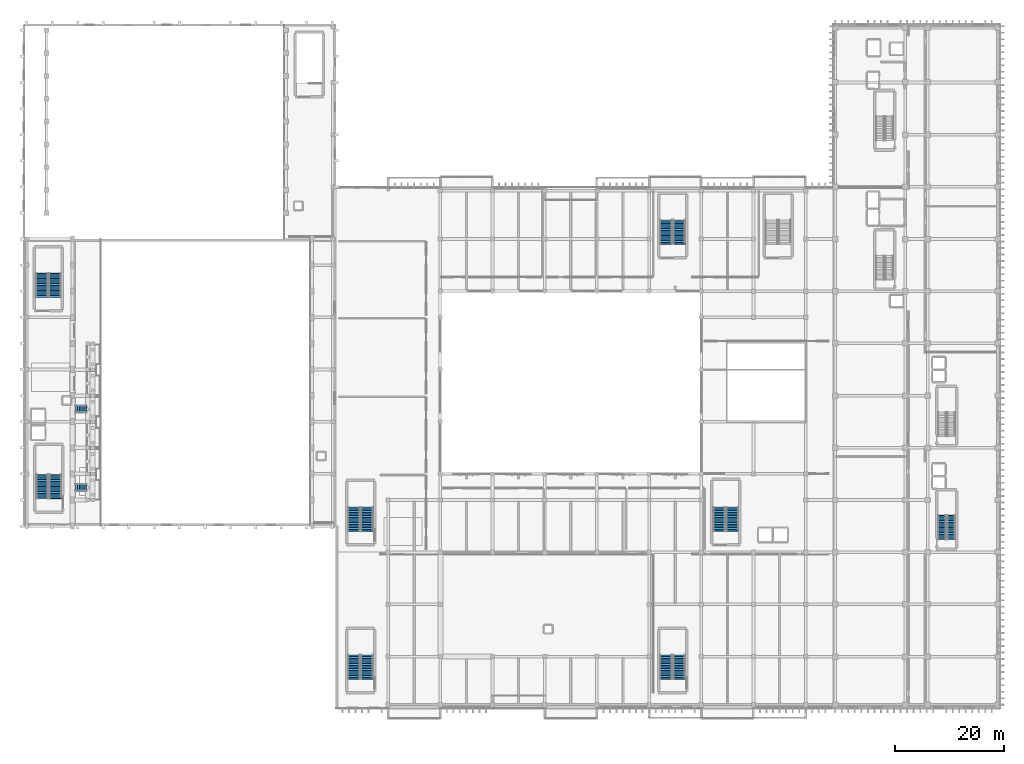
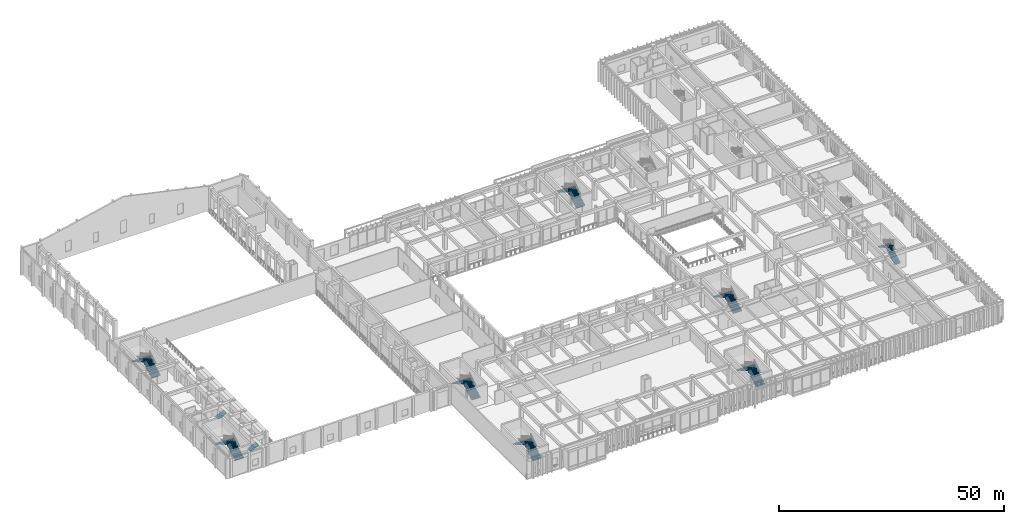
# One storey, part 110 of 134: 18 stair flights, 10 elements without a shape of their own.
"""IFC4 building model written with IfcOpenShell, lengths in metres."""

from ifc_helpers import new_model, si_unit, direction, frame, origin, place, context, subcontext, project, spatial, polyline, outline, extrude, material, layer, layer_set, type_object, element, aggregate, save


model = new_model("IFC4")

# Units and contexts
model_context = context("Model", 3, precision=1e-05, world=origin(), true_north=direction((0.0, 1.0)))
body_context = subcontext(model_context, "Body", "Model", "MODEL_VIEW")
ifc_project = project(units=[si_unit("LENGTHUNIT", "METRE"), si_unit("AREAUNIT", "SQUARE_METRE"), si_unit("VOLUMEUNIT", "CUBIC_METRE"), si_unit("PLANEANGLEUNIT", "RADIAN"), si_unit("MASSUNIT", "GRAM", prefix="KILO")], contexts=[model_context])

# Site, building, storey
site_placement = place(None, origin())
site = spatial("IfcSite", under=ifc_project, at=site_placement, CompositionType="ELEMENT")
building_placement = place(site_placement, origin())
building = spatial("IfcBuilding", under=site, at=building_placement, Name="Nakhvara Creek Congress Hotel", CompositionType="ELEMENT")
storey_placement = place(building_placement, frame((0.0, 0.0, 6.0)))
storey = spatial("IfcBuildingStorey", under=building, at=storey_placement, Name="L01", CompositionType="ELEMENT", Elevation=6.0)

# Stair, stair flights
ifc_material = material(Name="Concrete C40/50", Category="concrete")
stair_type_1 = type_object("IfcStairType", Name="ST-CORE-160", PredefinedType="HALF_TURN_STAIR", material=ifc_material)
stair_1_placement = place(storey_placement, origin())
stair_1 = element("IfcStair", 1, at=stair_1_placement, inside=storey, type_object=stair_type_1, Name="L01 Protected Exit Stair ST03", PredefinedType="HALF_TURN_STAIR")
ifc_layer_1 = layer(ifc_material, 0.18994140625)
ifc_layer_set_1 = layer_set([ifc_layer_1], Name="Concrete C40/50")
stair_flight_type_1 = type_object("IfcStairFlightType", Name="SFL-RC-160", PredefinedType="STRAIGHT", material=ifc_layer_set_1)
stair_flight_1_placement = place(storey_placement, frame((170.780029296875, 31.139892578125, 0.0), z_axis=(0.0, 0.0, 1.0), x_axis=(0.0, 1.0, 0.0)))
stair_flight_1 = element("IfcStairFlight", 2, at=stair_flight_1_placement, type_object=stair_flight_type_1, Name="ST03 flight 1", NumberOfRisers=15, NumberOfTreads=14, PredefinedType="STRAIGHT", RiserHeight=0.18, TreadLength=0.315, context=body_context, shape_type="SweptSolid", body=[
    extrude(outline(polyline([(-0.048095703125, 0.0), (0.0, 0.0), (0.0, 0.179931640625), (0.31494140625, 0.179931640625), (0.31494140625, 0.360107421875), (0.6298828125, 0.360107421875), (0.6298828125, 0.5400390625), (0.945068359375, 0.5400390625), (0.945068359375, 0.719970703125), (1.260009765625, 0.719970703125), (1.260009765625, 0.89990234375), (1.574951171875, 0.89990234375), (1.574951171875, 1.080078125), (1.889892578125, 1.080078125), (1.889892578125, 1.260009765625), (2.205078125, 1.260009765625), (2.205078125, 1.43994140625), (2.52001953125, 1.43994140625), (2.52001953125, 1.6201171875), (2.8349609375, 1.6201171875), (2.8349609375, 1.800048828125), (3.14990234375, 1.800048828125), (3.14990234375, 1.97998046875), (3.465087890625, 1.97998046875), (3.465087890625, 2.159912109375), (3.780029296875, 2.159912109375), (3.780029296875, 2.340087890625), (4.094970703125, 2.340087890625), (4.094970703125, 2.52001953125), (4.409912109375, 2.52001953125), (4.409912109375, 2.699951171875), (4.4580078125, 2.699951171875), (4.4580078125, 2.550048828125), (4.409912109375, 2.347412109375), (0.039794921875, -0.14990234375), (-0.048095703125, -0.14990234375), (-0.048095703125, 0.0)])), frame((0.0, 0.77001953125, 0.0), z_axis=(0.0, -1.0, 0.0), x_axis=(1.0, 0.0, 0.0)), (0.0, 0.0, 1.0), 1.5400390625),
])
stair_flight_2_placement = place(storey_placement, frame((169.090087890625, 35.550048828125, 2.699951171875), z_axis=(0.0, 0.0, 1.0), x_axis=(0.0, -1.0, 0.0)))
stair_flight_2 = element("IfcStairFlight", 3, at=stair_flight_2_placement, type_object=stair_flight_type_1, Name="ST03 flight 2", NumberOfRisers=15, NumberOfTreads=14, PredefinedType="STRAIGHT", RiserHeight=0.18, TreadLength=0.315, context=body_context, shape_type="SweptSolid", body=[
    extrude(outline(polyline([(-0.048095703125, 0.0), (0.0, 0.0), (0.0, 0.179931640625), (0.31494140625, 0.179931640625), (0.31494140625, 0.360107421875), (0.6298828125, 0.360107421875), (0.6298828125, 0.5400390625), (0.945068359375, 0.5400390625), (0.945068359375, 0.719970703125), (1.260009765625, 0.719970703125), (1.260009765625, 0.89990234375), (1.574951171875, 0.89990234375), (1.574951171875, 1.080078125), (1.889892578125, 1.080078125), (1.889892578125, 1.260009765625), (2.205078125, 1.260009765625), (2.205078125, 1.43994140625), (2.52001953125, 1.43994140625), (2.52001953125, 1.6201171875), (2.8349609375, 1.6201171875), (2.8349609375, 1.800048828125), (3.14990234375, 1.800048828125), (3.14990234375, 1.97998046875), (3.465087890625, 1.97998046875), (3.465087890625, 2.159912109375), (3.780029296875, 2.159912109375), (3.780029296875, 2.340087890625), (4.094970703125, 2.340087890625), (4.094970703125, 2.52001953125), (4.409912109375, 2.52001953125), (4.409912109375, 2.699951171875), (4.4580078125, 2.699951171875), (4.4580078125, 2.550048828125), (4.409912109375, 2.347412109375), (0.039794921875, -0.14990234375), (-0.048095703125, -0.14990234375), (-0.048095703125, 0.0)])), frame((0.0, 0.77001953125, 0.0), z_axis=(0.0, -1.0, 0.0), x_axis=(1.0, 0.0, 0.0)), (0.0, 0.0, 1.0), 1.5400390625),
])
aggregate(stair_1, [stair_flight_1, stair_flight_2])

# Stair, stair flight
stair_type_2 = type_object("IfcStairType", Name="ST-VOM-165", PredefinedType="STRAIGHT_RUN_STAIR", material=ifc_material)
stair_2_placement = place(storey_placement, origin())
stair_2 = element("IfcStair", 4, at=stair_2_placement, inside=storey, type_object=stair_type_2, Name="Congress Vomitory Stair SV03", PredefinedType="STRAIGHT_RUN_STAIR")
ifc_layer_2 = layer(ifc_material, 0.179931640625)
ifc_layer_set_2 = layer_set([ifc_layer_2], Name="Concrete C40/50")
stair_flight_type_2 = type_object("IfcStairFlightType", Name="SFL-RC-165", PredefinedType="STRAIGHT", material=ifc_layer_set_2)
stair_flight_3_placement = place(storey_placement, frame((9.7099609375, 40.699951171875, 0.0), z_axis=(0.0, 0.0, 1.0), x_axis=(1.0, 0.0, 0.0)))
stair_flight_3 = element("IfcStairFlight", 5, at=stair_flight_3_placement, type_object=stair_flight_type_2, Name="SV03 flight 1", NumberOfRisers=7, NumberOfTreads=6, PredefinedType="STRAIGHT", RiserHeight=0.15, TreadLength=0.34, context=body_context, shape_type="SweptSolid", body=[
    extrude(outline(polyline([(-0.048095703125, 0.0), (0.0, 0.0), (0.0, 0.14990234375), (0.340087890625, 0.14990234375), (0.340087890625, 0.300048828125), (0.679931640625, 0.300048828125), (0.679931640625, 0.449951171875), (1.02001953125, 0.449951171875), (1.02001953125, 0.60009765625), (1.360107421875, 0.60009765625), (1.360107421875, 0.75), (1.699951171875, 0.75), (1.699951171875, 0.89990234375), (2.0400390625, 0.89990234375), (2.0400390625, 1.050048828125), (2.088134765625, 1.050048828125), (2.088134765625, 0.900146484375), (2.0400390625, 0.736083984375), (0.031494140625, -0.14990234375), (-0.048095703125, -0.14990234375), (-0.048095703125, 0.0)])), frame((0.0, 0.675048828125, 0.0), z_axis=(0.0, -1.0, 0.0), x_axis=(1.0, 0.0, 0.0)), (0.0, 0.0, 1.0), 1.35009765625),
])
aggregate(stair_2, [stair_flight_3])

stair_3_placement = place(storey_placement, origin())
stair_3 = element("IfcStair", 6, at=stair_3_placement, inside=storey, type_object=stair_type_2, Name="Congress Vomitory Stair SV04", PredefinedType="STRAIGHT_RUN_STAIR")
stair_flight_4_placement = place(storey_placement, frame((9.7099609375, 55.10009765625, 0.0), z_axis=(0.0, 0.0, 1.0), x_axis=(1.0, 0.0, 0.0)))
stair_flight_4 = element("IfcStairFlight", 7, at=stair_flight_4_placement, type_object=stair_flight_type_2, Name="SV04 flight 1", NumberOfRisers=7, NumberOfTreads=6, PredefinedType="STRAIGHT", RiserHeight=0.15, TreadLength=0.34, context=body_context, shape_type="SweptSolid", body=[
    extrude(outline(polyline([(-0.048095703125, 0.0), (0.0, 0.0), (0.0, 0.14990234375), (0.340087890625, 0.14990234375), (0.340087890625, 0.300048828125), (0.679931640625, 0.300048828125), (0.679931640625, 0.449951171875), (1.02001953125, 0.449951171875), (1.02001953125, 0.60009765625), (1.360107421875, 0.60009765625), (1.360107421875, 0.75), (1.699951171875, 0.75), (1.699951171875, 0.89990234375), (2.0400390625, 0.89990234375), (2.0400390625, 1.050048828125), (2.088134765625, 1.050048828125), (2.088134765625, 0.900146484375), (2.0400390625, 0.736083984375), (0.031494140625, -0.14990234375), (-0.048095703125, -0.14990234375), (-0.048095703125, 0.0)])), frame((0.0, 0.675048828125, 0.0), z_axis=(0.0, -1.0, 0.0), x_axis=(1.0, 0.0, 0.0)), (0.0, 0.0, 1.0), 1.35009765625),
])
aggregate(stair_3, [stair_flight_4])

# Stair, stair flights
stair_type_3 = type_object("IfcStairType", Name="ST-CORE-230", PredefinedType="HALF_TURN_STAIR", material=ifc_material)
stair_4_placement = place(storey_placement, origin())
stair_4 = element("IfcStair", 8, at=stair_4_placement, inside=storey, type_object=stair_type_3, Name="L01 Protected Exit Stair ST05", PredefinedType="HALF_TURN_STAIR")
ifc_layer_3 = layer(ifc_material, 0.219970703125)
ifc_layer_set_3 = layer_set([ifc_layer_3], Name="Concrete C40/50")
stair_flight_type_3 = type_object("IfcStairFlightType", Name="SFL-RC-230", PredefinedType="STRAIGHT", material=ifc_layer_set_3)
stair_flight_5_placement = place(storey_placement, frame((6.02001953125, 38.679931640625, 0.0), z_axis=(0.0, 0.0, 1.0), x_axis=(0.0, 1.0, 0.0)))
stair_flight_5 = element("IfcStairFlight", 9, at=stair_flight_5_placement, type_object=stair_flight_type_3, Name="ST05 flight 1", NumberOfRisers=15, NumberOfTreads=14, PredefinedType="STRAIGHT", RiserHeight=0.18, TreadLength=0.315, context=body_context, shape_type="SweptSolid", body=[
    extrude(outline(polyline([(-0.048095703125, 0.0), (0.0, 0.0), (0.0, 0.179931640625), (0.31494140625, 0.179931640625), (0.31494140625, 0.360107421875), (0.6298828125, 0.360107421875), (0.6298828125, 0.5400390625), (0.945068359375, 0.5400390625), (0.945068359375, 0.719970703125), (1.260009765625, 0.719970703125), (1.260009765625, 0.89990234375), (1.574951171875, 0.89990234375), (1.574951171875, 1.080078125), (1.889892578125, 1.080078125), (1.889892578125, 1.260009765625), (2.205078125, 1.260009765625), (2.205078125, 1.43994140625), (2.52001953125, 1.43994140625), (2.52001953125, 1.6201171875), (2.8349609375, 1.6201171875), (2.8349609375, 1.800048828125), (3.14990234375, 1.800048828125), (3.14990234375, 1.97998046875), (3.465087890625, 1.97998046875), (3.465087890625, 2.159912109375), (3.780029296875, 2.159912109375), (3.780029296875, 2.340087890625), (4.094970703125, 2.340087890625), (4.094970703125, 2.52001953125), (4.409912109375, 2.52001953125), (4.409912109375, 2.699951171875), (4.4580078125, 2.699951171875), (4.4580078125, 2.550048828125), (4.409912109375, 2.347412109375), (0.039794921875, -0.14990234375), (-0.048095703125, -0.14990234375), (-0.048095703125, 0.0)])), frame((0.0, 1.14013671875, 0.0), z_axis=(0.0, -1.0, 0.0), x_axis=(1.0, 0.0, 0.0)), (0.0, 0.0, 1.0), 2.280029296875),
])
stair_flight_6_placement = place(storey_placement, frame((3.590087890625, 43.090087890625, 2.699951171875), z_axis=(0.0, 0.0, 1.0), x_axis=(0.0, -1.0, 0.0)))
stair_flight_6 = element("IfcStairFlight", 10, at=stair_flight_6_placement, type_object=stair_flight_type_3, Name="ST05 flight 2", NumberOfRisers=15, NumberOfTreads=14, PredefinedType="STRAIGHT", RiserHeight=0.18, TreadLength=0.315, context=body_context, shape_type="SweptSolid", body=[
    extrude(outline(polyline([(-0.048095703125, 0.0), (0.0, 0.0), (0.0, 0.179931640625), (0.31494140625, 0.179931640625), (0.31494140625, 0.360107421875), (0.6298828125, 0.360107421875), (0.6298828125, 0.5400390625), (0.945068359375, 0.5400390625), (0.945068359375, 0.719970703125), (1.260009765625, 0.719970703125), (1.260009765625, 0.89990234375), (1.574951171875, 0.89990234375), (1.574951171875, 1.080078125), (1.889892578125, 1.080078125), (1.889892578125, 1.260009765625), (2.205078125, 1.260009765625), (2.205078125, 1.43994140625), (2.52001953125, 1.43994140625), (2.52001953125, 1.6201171875), (2.8349609375, 1.6201171875), (2.8349609375, 1.800048828125), (3.14990234375, 1.800048828125), (3.14990234375, 1.97998046875), (3.465087890625, 1.97998046875), (3.465087890625, 2.159912109375), (3.780029296875, 2.159912109375), (3.780029296875, 2.340087890625), (4.094970703125, 2.340087890625), (4.094970703125, 2.52001953125), (4.409912109375, 2.52001953125), (4.409912109375, 2.699951171875), (4.4580078125, 2.699951171875), (4.4580078125, 2.550048828125), (4.409912109375, 2.347412109375), (0.039794921875, -0.14990234375), (-0.048095703125, -0.14990234375), (-0.048095703125, 0.0)])), frame((0.0, 1.14013671875, 0.0), z_axis=(0.0, -1.0, 0.0), x_axis=(1.0, 0.0, 0.0)), (0.0, 0.0, 1.0), 2.280029296875),
])
aggregate(stair_4, [stair_flight_5, stair_flight_6])

stair_5_placement = place(storey_placement, origin())
stair_5 = element("IfcStair", 11, at=stair_5_placement, inside=storey, type_object=stair_type_3, Name="L01 Protected Exit Stair ST06", PredefinedType="HALF_TURN_STAIR")
stair_flight_7_placement = place(storey_placement, frame((130.52001953125, 32.679931640625, 0.0), z_axis=(0.0, 0.0, 1.0), x_axis=(0.0, 1.0, 0.0)))
stair_flight_7 = element("IfcStairFlight", 12, at=stair_flight_7_placement, type_object=stair_flight_type_3, Name="ST06 flight 1", NumberOfRisers=15, NumberOfTreads=14, PredefinedType="STRAIGHT", RiserHeight=0.18, TreadLength=0.315, context=body_context, shape_type="SweptSolid", body=[
    extrude(outline(polyline([(-0.048095703125, 0.0), (0.0, 0.0), (0.0, 0.179931640625), (0.31494140625, 0.179931640625), (0.31494140625, 0.360107421875), (0.6298828125, 0.360107421875), (0.6298828125, 0.5400390625), (0.945068359375, 0.5400390625), (0.945068359375, 0.719970703125), (1.260009765625, 0.719970703125), (1.260009765625, 0.89990234375), (1.574951171875, 0.89990234375), (1.574951171875, 1.080078125), (1.889892578125, 1.080078125), (1.889892578125, 1.260009765625), (2.205078125, 1.260009765625), (2.205078125, 1.43994140625), (2.52001953125, 1.43994140625), (2.52001953125, 1.6201171875), (2.8349609375, 1.6201171875), (2.8349609375, 1.800048828125), (3.14990234375, 1.800048828125), (3.14990234375, 1.97998046875), (3.465087890625, 1.97998046875), (3.465087890625, 2.159912109375), (3.780029296875, 2.159912109375), (3.780029296875, 2.340087890625), (4.094970703125, 2.340087890625), (4.094970703125, 2.52001953125), (4.409912109375, 2.52001953125), (4.409912109375, 2.699951171875), (4.4580078125, 2.699951171875), (4.4580078125, 2.550048828125), (4.409912109375, 2.347412109375), (0.039794921875, -0.14990234375), (-0.048095703125, -0.14990234375), (-0.048095703125, 0.0)])), frame((0.0, 1.14013671875, 0.0), z_axis=(0.0, -1.0, 0.0), x_axis=(1.0, 0.0, 0.0)), (0.0, 0.0, 1.0), 2.280029296875),
])
stair_flight_8_placement = place(storey_placement, frame((128.090087890625, 37.090087890625, 2.699951171875), z_axis=(0.0, 0.0, 1.0), x_axis=(0.0, -1.0, 0.0)))
stair_flight_8 = element("IfcStairFlight", 13, at=stair_flight_8_placement, type_object=stair_flight_type_3, Name="ST06 flight 2", NumberOfRisers=15, NumberOfTreads=14, PredefinedType="STRAIGHT", RiserHeight=0.18, TreadLength=0.315, context=body_context, shape_type="SweptSolid", body=[
    extrude(outline(polyline([(-0.048095703125, 0.0), (0.0, 0.0), (0.0, 0.179931640625), (0.31494140625, 0.179931640625), (0.31494140625, 0.360107421875), (0.6298828125, 0.360107421875), (0.6298828125, 0.5400390625), (0.945068359375, 0.5400390625), (0.945068359375, 0.719970703125), (1.260009765625, 0.719970703125), (1.260009765625, 0.89990234375), (1.574951171875, 0.89990234375), (1.574951171875, 1.080078125), (1.889892578125, 1.080078125), (1.889892578125, 1.260009765625), (2.205078125, 1.260009765625), (2.205078125, 1.43994140625), (2.52001953125, 1.43994140625), (2.52001953125, 1.6201171875), (2.8349609375, 1.6201171875), (2.8349609375, 1.800048828125), (3.14990234375, 1.800048828125), (3.14990234375, 1.97998046875), (3.465087890625, 1.97998046875), (3.465087890625, 2.159912109375), (3.780029296875, 2.159912109375), (3.780029296875, 2.340087890625), (4.094970703125, 2.340087890625), (4.094970703125, 2.52001953125), (4.409912109375, 2.52001953125), (4.409912109375, 2.699951171875), (4.4580078125, 2.699951171875), (4.4580078125, 2.550048828125), (4.409912109375, 2.347412109375), (0.039794921875, -0.14990234375), (-0.048095703125, -0.14990234375), (-0.048095703125, 0.0)])), frame((0.0, 1.14013671875, 0.0), z_axis=(0.0, -1.0, 0.0), x_axis=(1.0, 0.0, 0.0)), (0.0, 0.0, 1.0), 2.280029296875),
])
aggregate(stair_5, [stair_flight_7, stair_flight_8])

stair_6_placement = place(storey_placement, origin())
stair_6 = element("IfcStair", 14, at=stair_6_placement, inside=storey, type_object=stair_type_3, Name="L01 Protected Exit Stair ST07", PredefinedType="HALF_TURN_STAIR")
stair_flight_9_placement = place(storey_placement, frame((5.93994140625, 75.679931640625, 0.0), z_axis=(0.0, 0.0, 1.0), x_axis=(0.0, 1.0, 0.0)))
stair_flight_9 = element("IfcStairFlight", 15, at=stair_flight_9_placement, type_object=stair_flight_type_3, Name="ST07 flight 1", NumberOfRisers=15, NumberOfTreads=14, PredefinedType="STRAIGHT", RiserHeight=0.18, TreadLength=0.315, context=body_context, shape_type="SweptSolid", body=[
    extrude(outline(polyline([(-0.048095703125, 0.0), (0.0, 0.0), (0.0, 0.179931640625), (0.31494140625, 0.179931640625), (0.31494140625, 0.360107421875), (0.6298828125, 0.360107421875), (0.6298828125, 0.5400390625), (0.945068359375, 0.5400390625), (0.945068359375, 0.719970703125), (1.260009765625, 0.719970703125), (1.260009765625, 0.89990234375), (1.574951171875, 0.89990234375), (1.574951171875, 1.080078125), (1.889892578125, 1.080078125), (1.889892578125, 1.260009765625), (2.205078125, 1.260009765625), (2.205078125, 1.43994140625), (2.52001953125, 1.43994140625), (2.52001953125, 1.6201171875), (2.8349609375, 1.6201171875), (2.8349609375, 1.800048828125), (3.14990234375, 1.800048828125), (3.14990234375, 1.97998046875), (3.465087890625, 1.97998046875), (3.465087890625, 2.159912109375), (3.780029296875, 2.159912109375), (3.780029296875, 2.340087890625), (4.094970703125, 2.340087890625), (4.094970703125, 2.52001953125), (4.409912109375, 2.52001953125), (4.409912109375, 2.699951171875), (4.4580078125, 2.699951171875), (4.4580078125, 2.550048828125), (4.409912109375, 2.347412109375), (0.039794921875, -0.14990234375), (-0.048095703125, -0.14990234375), (-0.048095703125, 0.0)])), frame((0.0, 1.14013671875, 0.0), z_axis=(0.0, -1.0, 0.0), x_axis=(1.0, 0.0, 0.0)), (0.0, 0.0, 1.0), 2.280029296875),
])
stair_flight_10_placement = place(storey_placement, frame((3.510009765625, 80.090087890625, 2.699951171875), z_axis=(0.0, 0.0, 1.0), x_axis=(0.0, -1.0, 0.0)))
stair_flight_10 = element("IfcStairFlight", 16, at=stair_flight_10_placement, type_object=stair_flight_type_3, Name="ST07 flight 2", NumberOfRisers=15, NumberOfTreads=14, PredefinedType="STRAIGHT", RiserHeight=0.18, TreadLength=0.315, context=body_context, shape_type="SweptSolid", body=[
    extrude(outline(polyline([(-0.048095703125, 0.0), (0.0, 0.0), (0.0, 0.179931640625), (0.31494140625, 0.179931640625), (0.31494140625, 0.360107421875), (0.6298828125, 0.360107421875), (0.6298828125, 0.5400390625), (0.945068359375, 0.5400390625), (0.945068359375, 0.719970703125), (1.260009765625, 0.719970703125), (1.260009765625, 0.89990234375), (1.574951171875, 0.89990234375), (1.574951171875, 1.080078125), (1.889892578125, 1.080078125), (1.889892578125, 1.260009765625), (2.205078125, 1.260009765625), (2.205078125, 1.43994140625), (2.52001953125, 1.43994140625), (2.52001953125, 1.6201171875), (2.8349609375, 1.6201171875), (2.8349609375, 1.800048828125), (3.14990234375, 1.800048828125), (3.14990234375, 1.97998046875), (3.465087890625, 1.97998046875), (3.465087890625, 2.159912109375), (3.780029296875, 2.159912109375), (3.780029296875, 2.340087890625), (4.094970703125, 2.340087890625), (4.094970703125, 2.52001953125), (4.409912109375, 2.52001953125), (4.409912109375, 2.699951171875), (4.4580078125, 2.699951171875), (4.4580078125, 2.550048828125), (4.409912109375, 2.347412109375), (0.039794921875, -0.14990234375), (-0.048095703125, -0.14990234375), (-0.048095703125, 0.0)])), frame((0.0, 1.14013671875, 0.0), z_axis=(0.0, -1.0, 0.0), x_axis=(1.0, 0.0, 0.0)), (0.0, 0.0, 1.0), 2.280029296875),
])
aggregate(stair_6, [stair_flight_9, stair_flight_10])

stair_7_placement = place(storey_placement, origin())
stair_7 = element("IfcStair", 17, at=stair_7_placement, inside=storey, type_object=stair_type_3, Name="L01 Protected Exit Stair ST09", PredefinedType="HALF_TURN_STAIR")
stair_flight_11_placement = place(storey_placement, frame((120.739990234375, 85.47998046875, 0.0), z_axis=(0.0, 0.0, 1.0), x_axis=(0.0, 1.0, 0.0)))
stair_flight_11 = element("IfcStairFlight", 18, at=stair_flight_11_placement, type_object=stair_flight_type_3, Name="ST09 flight 1", NumberOfRisers=15, NumberOfTreads=14, PredefinedType="STRAIGHT", RiserHeight=0.18, TreadLength=0.315, context=body_context, shape_type="SweptSolid", body=[
    extrude(outline(polyline([(-0.048095703125, 0.0), (0.0, 0.0), (0.0, 0.179931640625), (0.31494140625, 0.179931640625), (0.31494140625, 0.360107421875), (0.6298828125, 0.360107421875), (0.6298828125, 0.5400390625), (0.945068359375, 0.5400390625), (0.945068359375, 0.719970703125), (1.260009765625, 0.719970703125), (1.260009765625, 0.89990234375), (1.574951171875, 0.89990234375), (1.574951171875, 1.080078125), (1.889892578125, 1.080078125), (1.889892578125, 1.260009765625), (2.205078125, 1.260009765625), (2.205078125, 1.43994140625), (2.52001953125, 1.43994140625), (2.52001953125, 1.6201171875), (2.8349609375, 1.6201171875), (2.8349609375, 1.800048828125), (3.14990234375, 1.800048828125), (3.14990234375, 1.97998046875), (3.465087890625, 1.97998046875), (3.465087890625, 2.159912109375), (3.780029296875, 2.159912109375), (3.780029296875, 2.340087890625), (4.094970703125, 2.340087890625), (4.094970703125, 2.52001953125), (4.409912109375, 2.52001953125), (4.409912109375, 2.699951171875), (4.4580078125, 2.699951171875), (4.4580078125, 2.550048828125), (4.409912109375, 2.347412109375), (0.039794921875, -0.14990234375), (-0.048095703125, -0.14990234375), (-0.048095703125, 0.0)])), frame((0.0, 1.14013671875, 0.0), z_axis=(0.0, -1.0, 0.0), x_axis=(1.0, 0.0, 0.0)), (0.0, 0.0, 1.0), 2.280029296875),
])
stair_flight_12_placement = place(storey_placement, frame((118.31005859375, 89.889892578125, 2.699951171875), z_axis=(0.0, 0.0, 1.0), x_axis=(0.0, -1.0, 0.0)))
stair_flight_12 = element("IfcStairFlight", 19, at=stair_flight_12_placement, type_object=stair_flight_type_3, Name="ST09 flight 2", NumberOfRisers=15, NumberOfTreads=14, PredefinedType="STRAIGHT", RiserHeight=0.18, TreadLength=0.315, context=body_context, shape_type="SweptSolid", body=[
    extrude(outline(polyline([(-0.048095703125, 0.0), (0.0, 0.0), (0.0, 0.179931640625), (0.31494140625, 0.179931640625), (0.31494140625, 0.360107421875), (0.6298828125, 0.360107421875), (0.6298828125, 0.5400390625), (0.945068359375, 0.5400390625), (0.945068359375, 0.719970703125), (1.260009765625, 0.719970703125), (1.260009765625, 0.89990234375), (1.574951171875, 0.89990234375), (1.574951171875, 1.080078125), (1.889892578125, 1.080078125), (1.889892578125, 1.260009765625), (2.205078125, 1.260009765625), (2.205078125, 1.43994140625), (2.52001953125, 1.43994140625), (2.52001953125, 1.6201171875), (2.8349609375, 1.6201171875), (2.8349609375, 1.800048828125), (3.14990234375, 1.800048828125), (3.14990234375, 1.97998046875), (3.465087890625, 1.97998046875), (3.465087890625, 2.159912109375), (3.780029296875, 2.159912109375), (3.780029296875, 2.340087890625), (4.094970703125, 2.340087890625), (4.094970703125, 2.52001953125), (4.409912109375, 2.52001953125), (4.409912109375, 2.699951171875), (4.4580078125, 2.699951171875), (4.4580078125, 2.550048828125), (4.409912109375, 2.347412109375), (0.039794921875, -0.14990234375), (-0.048095703125, -0.14990234375), (-0.048095703125, 0.0)])), frame((0.0, 1.14013671875, 0.0), z_axis=(0.0, -1.0, 0.0), x_axis=(1.0, 0.0, 0.0)), (0.0, 0.0, 1.0), 2.280029296875),
])
aggregate(stair_7, [stair_flight_11, stair_flight_12])

stair_8_placement = place(storey_placement, origin())
stair_8 = element("IfcStair", 20, at=stair_8_placement, inside=storey, type_object=stair_type_3, Name="L01 Protected Exit Stair ST11", PredefinedType="HALF_TURN_STAIR")
stair_flight_13_placement = place(storey_placement, frame((63.340087890625, 5.47998046875, 0.0), z_axis=(0.0, 0.0, 1.0), x_axis=(0.0, 1.0, 0.0)))
stair_flight_13 = element("IfcStairFlight", 21, at=stair_flight_13_placement, type_object=stair_flight_type_3, Name="ST11 flight 1", NumberOfRisers=15, NumberOfTreads=14, PredefinedType="STRAIGHT", RiserHeight=0.18, TreadLength=0.315, context=body_context, shape_type="SweptSolid", body=[
    extrude(outline(polyline([(-0.048095703125, 0.0), (0.0, 0.0), (0.0, 0.179931640625), (0.31494140625, 0.179931640625), (0.31494140625, 0.360107421875), (0.6298828125, 0.360107421875), (0.6298828125, 0.5400390625), (0.945068359375, 0.5400390625), (0.945068359375, 0.719970703125), (1.260009765625, 0.719970703125), (1.260009765625, 0.89990234375), (1.574951171875, 0.89990234375), (1.574951171875, 1.080078125), (1.889892578125, 1.080078125), (1.889892578125, 1.260009765625), (2.205078125, 1.260009765625), (2.205078125, 1.43994140625), (2.52001953125, 1.43994140625), (2.52001953125, 1.6201171875), (2.8349609375, 1.6201171875), (2.8349609375, 1.800048828125), (3.14990234375, 1.800048828125), (3.14990234375, 1.97998046875), (3.465087890625, 1.97998046875), (3.465087890625, 2.159912109375), (3.780029296875, 2.159912109375), (3.780029296875, 2.340087890625), (4.094970703125, 2.340087890625), (4.094970703125, 2.52001953125), (4.409912109375, 2.52001953125), (4.409912109375, 2.699951171875), (4.4580078125, 2.699951171875), (4.4580078125, 2.550048828125), (4.409912109375, 2.347412109375), (0.039794921875, -0.14990234375), (-0.048095703125, -0.14990234375), (-0.048095703125, 0.0)])), frame((0.0, 1.14013671875, 0.0), z_axis=(0.0, -1.0, 0.0), x_axis=(1.0, 0.0, 0.0)), (0.0, 0.0, 1.0), 2.280029296875),
])
stair_flight_14_placement = place(storey_placement, frame((60.909912109375, 9.889892578125, 2.699951171875), z_axis=(0.0, 0.0, 1.0), x_axis=(0.0, -1.0, 0.0)))
stair_flight_14 = element("IfcStairFlight", 22, at=stair_flight_14_placement, type_object=stair_flight_type_3, Name="ST11 flight 2", NumberOfRisers=15, NumberOfTreads=14, PredefinedType="STRAIGHT", RiserHeight=0.18, TreadLength=0.315, context=body_context, shape_type="SweptSolid", body=[
    extrude(outline(polyline([(-0.048095703125, 0.0), (0.0, 0.0), (0.0, 0.179931640625), (0.31494140625, 0.179931640625), (0.31494140625, 0.360107421875), (0.6298828125, 0.360107421875), (0.6298828125, 0.5400390625), (0.945068359375, 0.5400390625), (0.945068359375, 0.719970703125), (1.260009765625, 0.719970703125), (1.260009765625, 0.89990234375), (1.574951171875, 0.89990234375), (1.574951171875, 1.080078125), (1.889892578125, 1.080078125), (1.889892578125, 1.260009765625), (2.205078125, 1.260009765625), (2.205078125, 1.43994140625), (2.52001953125, 1.43994140625), (2.52001953125, 1.6201171875), (2.8349609375, 1.6201171875), (2.8349609375, 1.800048828125), (3.14990234375, 1.800048828125), (3.14990234375, 1.97998046875), (3.465087890625, 1.97998046875), (3.465087890625, 2.159912109375), (3.780029296875, 2.159912109375), (3.780029296875, 2.340087890625), (4.094970703125, 2.340087890625), (4.094970703125, 2.52001953125), (4.409912109375, 2.52001953125), (4.409912109375, 2.699951171875), (4.4580078125, 2.699951171875), (4.4580078125, 2.550048828125), (4.409912109375, 2.347412109375), (0.039794921875, -0.14990234375), (-0.048095703125, -0.14990234375), (-0.048095703125, 0.0)])), frame((0.0, 1.14013671875, 0.0), z_axis=(0.0, -1.0, 0.0), x_axis=(1.0, 0.0, 0.0)), (0.0, 0.0, 1.0), 2.280029296875),
])
aggregate(stair_8, [stair_flight_13, stair_flight_14])

stair_9_placement = place(storey_placement, origin())
stair_9 = element("IfcStair", 23, at=stair_9_placement, inside=storey, type_object=stair_type_3, Name="L01 Protected Exit Stair ST12", PredefinedType="HALF_TURN_STAIR")
stair_flight_15_placement = place(storey_placement, frame((120.739990234375, 5.47998046875, 0.0), z_axis=(0.0, 0.0, 1.0), x_axis=(0.0, 1.0, 0.0)))
stair_flight_15 = element("IfcStairFlight", 24, at=stair_flight_15_placement, type_object=stair_flight_type_3, Name="ST12 flight 1", NumberOfRisers=15, NumberOfTreads=14, PredefinedType="STRAIGHT", RiserHeight=0.18, TreadLength=0.315, context=body_context, shape_type="SweptSolid", body=[
    extrude(outline(polyline([(-0.048095703125, 0.0), (0.0, 0.0), (0.0, 0.179931640625), (0.31494140625, 0.179931640625), (0.31494140625, 0.360107421875), (0.6298828125, 0.360107421875), (0.6298828125, 0.5400390625), (0.945068359375, 0.5400390625), (0.945068359375, 0.719970703125), (1.260009765625, 0.719970703125), (1.260009765625, 0.89990234375), (1.574951171875, 0.89990234375), (1.574951171875, 1.080078125), (1.889892578125, 1.080078125), (1.889892578125, 1.260009765625), (2.205078125, 1.260009765625), (2.205078125, 1.43994140625), (2.52001953125, 1.43994140625), (2.52001953125, 1.6201171875), (2.8349609375, 1.6201171875), (2.8349609375, 1.800048828125), (3.14990234375, 1.800048828125), (3.14990234375, 1.97998046875), (3.465087890625, 1.97998046875), (3.465087890625, 2.159912109375), (3.780029296875, 2.159912109375), (3.780029296875, 2.340087890625), (4.094970703125, 2.340087890625), (4.094970703125, 2.52001953125), (4.409912109375, 2.52001953125), (4.409912109375, 2.699951171875), (4.4580078125, 2.699951171875), (4.4580078125, 2.550048828125), (4.409912109375, 2.347412109375), (0.039794921875, -0.14990234375), (-0.048095703125, -0.14990234375), (-0.048095703125, 0.0)])), frame((0.0, 1.14013671875, 0.0), z_axis=(0.0, -1.0, 0.0), x_axis=(1.0, 0.0, 0.0)), (0.0, 0.0, 1.0), 2.280029296875),
])
stair_flight_16_placement = place(storey_placement, frame((118.31005859375, 9.889892578125, 2.699951171875), z_axis=(0.0, 0.0, 1.0), x_axis=(0.0, -1.0, 0.0)))
stair_flight_16 = element("IfcStairFlight", 25, at=stair_flight_16_placement, type_object=stair_flight_type_3, Name="ST12 flight 2", NumberOfRisers=15, NumberOfTreads=14, PredefinedType="STRAIGHT", RiserHeight=0.18, TreadLength=0.315, context=body_context, shape_type="SweptSolid", body=[
    extrude(outline(polyline([(-0.048095703125, 0.0), (0.0, 0.0), (0.0, 0.179931640625), (0.31494140625, 0.179931640625), (0.31494140625, 0.360107421875), (0.6298828125, 0.360107421875), (0.6298828125, 0.5400390625), (0.945068359375, 0.5400390625), (0.945068359375, 0.719970703125), (1.260009765625, 0.719970703125), (1.260009765625, 0.89990234375), (1.574951171875, 0.89990234375), (1.574951171875, 1.080078125), (1.889892578125, 1.080078125), (1.889892578125, 1.260009765625), (2.205078125, 1.260009765625), (2.205078125, 1.43994140625), (2.52001953125, 1.43994140625), (2.52001953125, 1.6201171875), (2.8349609375, 1.6201171875), (2.8349609375, 1.800048828125), (3.14990234375, 1.800048828125), (3.14990234375, 1.97998046875), (3.465087890625, 1.97998046875), (3.465087890625, 2.159912109375), (3.780029296875, 2.159912109375), (3.780029296875, 2.340087890625), (4.094970703125, 2.340087890625), (4.094970703125, 2.52001953125), (4.409912109375, 2.52001953125), (4.409912109375, 2.699951171875), (4.4580078125, 2.699951171875), (4.4580078125, 2.550048828125), (4.409912109375, 2.347412109375), (0.039794921875, -0.14990234375), (-0.048095703125, -0.14990234375), (-0.048095703125, 0.0)])), frame((0.0, 1.14013671875, 0.0), z_axis=(0.0, -1.0, 0.0), x_axis=(1.0, 0.0, 0.0)), (0.0, 0.0, 1.0), 2.280029296875),
])
aggregate(stair_9, [stair_flight_15, stair_flight_16])

stair_10_placement = place(storey_placement, origin())
stair_10 = element("IfcStair", 26, at=stair_10_placement, inside=storey, type_object=stair_type_3, Name="L01 Protected Exit Stair ST13", PredefinedType="HALF_TURN_STAIR")
stair_flight_17_placement = place(storey_placement, frame((63.340087890625, 32.679931640625, 0.0), z_axis=(0.0, 0.0, 1.0), x_axis=(0.0, 1.0, 0.0)))
stair_flight_17 = element("IfcStairFlight", 27, at=stair_flight_17_placement, type_object=stair_flight_type_3, Name="ST13 flight 1", NumberOfRisers=15, NumberOfTreads=14, PredefinedType="STRAIGHT", RiserHeight=0.18, TreadLength=0.315, context=body_context, shape_type="SweptSolid", body=[
    extrude(outline(polyline([(-0.048095703125, 0.0), (0.0, 0.0), (0.0, 0.179931640625), (0.31494140625, 0.179931640625), (0.31494140625, 0.360107421875), (0.6298828125, 0.360107421875), (0.6298828125, 0.5400390625), (0.945068359375, 0.5400390625), (0.945068359375, 0.719970703125), (1.260009765625, 0.719970703125), (1.260009765625, 0.89990234375), (1.574951171875, 0.89990234375), (1.574951171875, 1.080078125), (1.889892578125, 1.080078125), (1.889892578125, 1.260009765625), (2.205078125, 1.260009765625), (2.205078125, 1.43994140625), (2.52001953125, 1.43994140625), (2.52001953125, 1.6201171875), (2.8349609375, 1.6201171875), (2.8349609375, 1.800048828125), (3.14990234375, 1.800048828125), (3.14990234375, 1.97998046875), (3.465087890625, 1.97998046875), (3.465087890625, 2.159912109375), (3.780029296875, 2.159912109375), (3.780029296875, 2.340087890625), (4.094970703125, 2.340087890625), (4.094970703125, 2.52001953125), (4.409912109375, 2.52001953125), (4.409912109375, 2.699951171875), (4.4580078125, 2.699951171875), (4.4580078125, 2.550048828125), (4.409912109375, 2.347412109375), (0.039794921875, -0.14990234375), (-0.048095703125, -0.14990234375), (-0.048095703125, 0.0)])), frame((0.0, 1.14013671875, 0.0), z_axis=(0.0, -1.0, 0.0), x_axis=(1.0, 0.0, 0.0)), (0.0, 0.0, 1.0), 2.280029296875),
])
stair_flight_18_placement = place(storey_placement, frame((60.909912109375, 37.090087890625, 2.699951171875), z_axis=(0.0, 0.0, 1.0), x_axis=(0.0, -1.0, 0.0)))
stair_flight_18 = element("IfcStairFlight", 28, at=stair_flight_18_placement, type_object=stair_flight_type_3, Name="ST13 flight 2", NumberOfRisers=15, NumberOfTreads=14, PredefinedType="STRAIGHT", RiserHeight=0.18, TreadLength=0.315, context=body_context, shape_type="SweptSolid", body=[
    extrude(outline(polyline([(-0.048095703125, 0.0), (0.0, 0.0), (0.0, 0.179931640625), (0.31494140625, 0.179931640625), (0.31494140625, 0.360107421875), (0.6298828125, 0.360107421875), (0.6298828125, 0.5400390625), (0.945068359375, 0.5400390625), (0.945068359375, 0.719970703125), (1.260009765625, 0.719970703125), (1.260009765625, 0.89990234375), (1.574951171875, 0.89990234375), (1.574951171875, 1.080078125), (1.889892578125, 1.080078125), (1.889892578125, 1.260009765625), (2.205078125, 1.260009765625), (2.205078125, 1.43994140625), (2.52001953125, 1.43994140625), (2.52001953125, 1.6201171875), (2.8349609375, 1.6201171875), (2.8349609375, 1.800048828125), (3.14990234375, 1.800048828125), (3.14990234375, 1.97998046875), (3.465087890625, 1.97998046875), (3.465087890625, 2.159912109375), (3.780029296875, 2.159912109375), (3.780029296875, 2.340087890625), (4.094970703125, 2.340087890625), (4.094970703125, 2.52001953125), (4.409912109375, 2.52001953125), (4.409912109375, 2.699951171875), (4.4580078125, 2.699951171875), (4.4580078125, 2.550048828125), (4.409912109375, 2.347412109375), (0.039794921875, -0.14990234375), (-0.048095703125, -0.14990234375), (-0.048095703125, 0.0)])), frame((0.0, 1.14013671875, 0.0), z_axis=(0.0, -1.0, 0.0), x_axis=(1.0, 0.0, 0.0)), (0.0, 0.0, 1.0), 2.280029296875),
])
aggregate(stair_10, [stair_flight_17, stair_flight_18])

save(model, "model.ifc")
